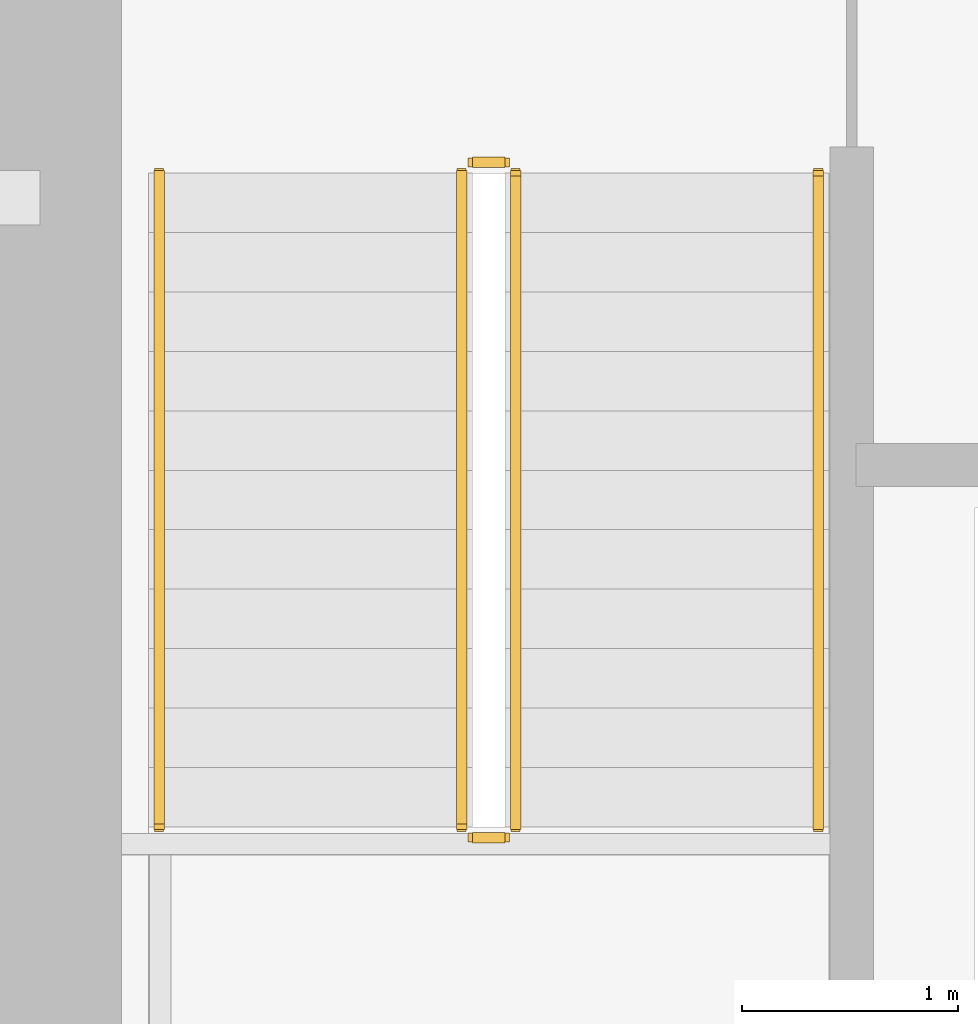
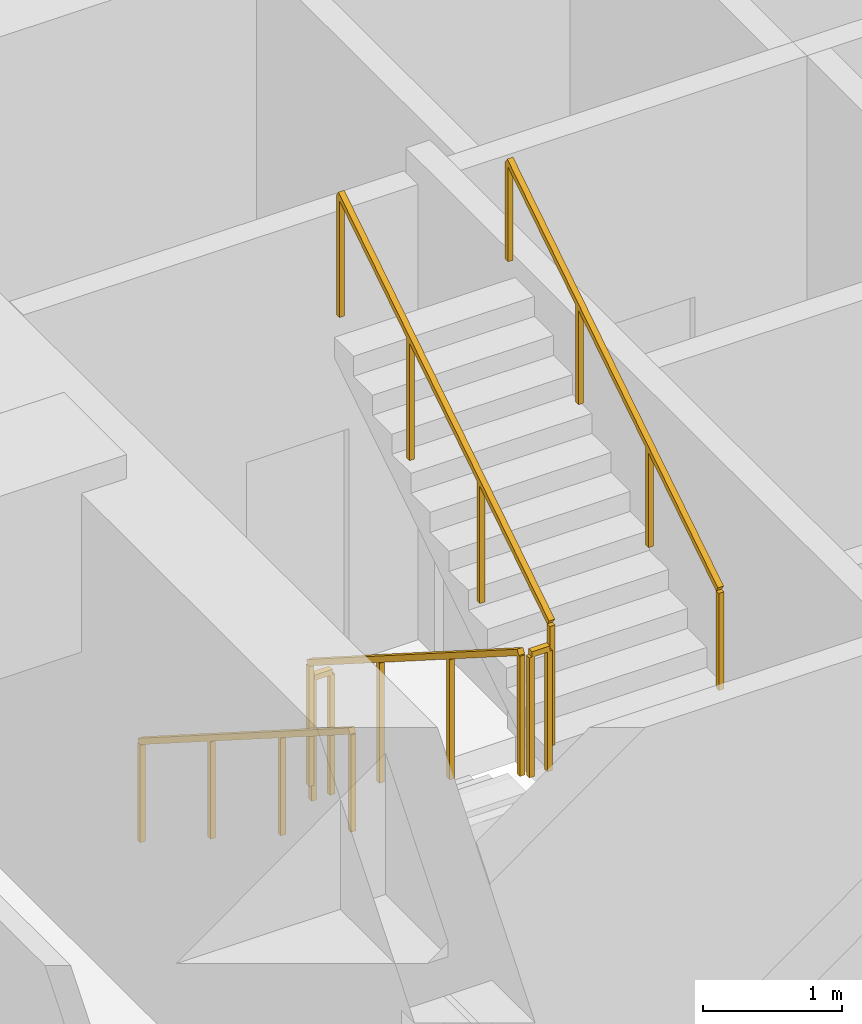
# One storey, part 21 of 23: 6 railings.
"""IFC4 building model written with IfcOpenShell, lengths in metres."""

from ifc_helpers import new_model, si_unit, direction, frame, origin, origin_2d, place, context, subcontext, project, spatial, rectangle, extrude, material, type_object, element, save


model = new_model("IFC4")

# Units and contexts
model_context = context("Model", 3, precision=1e-05, world=origin(), true_north=direction((0.0, 1.0)))
body_context = subcontext(model_context, "Body", "Model", "MODEL_VIEW")
ifc_project = project(units=[si_unit("LENGTHUNIT", "METRE"), si_unit("AREAUNIT", "SQUARE_METRE"), si_unit("VOLUMEUNIT", "CUBIC_METRE"), si_unit("PLANEANGLEUNIT", "RADIAN"), si_unit("MASSUNIT", "GRAM", prefix="KILO")], contexts=[model_context])

# Site, building, storey
site_placement = place(None, origin())
site = spatial("IfcSite", under=ifc_project, at=site_placement, CompositionType="ELEMENT")
building_placement = place(site_placement, origin())
building = spatial("IfcBuilding", under=site, at=building_placement, Name="Cinnabar Lancet Tower", CompositionType="ELEMENT")
storey_placement = place(building_placement, frame((0.0, 0.0, 94.199951171875)))
storey = spatial("IfcBuildingStorey", under=building, at=storey_placement, Name="L24", CompositionType="ELEMENT", Elevation=94.199951171875)

# Railings
ifc_material_1 = material(Name="Painted galvanized steel balustrade", Category="steel")
railing_type_1 = type_object("IfcRailingType", Name="GUARD-STAIR", PredefinedType="GUARDRAIL", material=ifc_material_1)
railing_1_placement = place(storey_placement, frame((24.97509765625, 28.39990234375, 0.175048828125)))
element("IfcRailing", 1, at=railing_1_placement, inside=storey, type_object=railing_type_1, Name="L24 ST-1 stair guard 1", PredefinedType="GUARDRAIL", context=body_context, shape_type="SweptSolid", body=[
    extrude(rectangle(XDim=0.048095703125, YDim=0.048095703125, at=origin_2d()), frame((0.0, 0.0, 1.076171875), z_axis=(0.0, -0.84364746871, 0.536897521451), x_axis=(1.0, 0.0, 0.0)), (0.0, 0.0, 1.0), 3.58544921875),
    extrude(rectangle(XDim=0.0419921875, YDim=0.0419921875, at=origin_2d()), origin(), (0.0, 0.0, 1.0), 1.052001953125),
    extrude(rectangle(XDim=0.0419921875, YDim=0.0419921875, at=origin_2d()), frame((0.0, -1.00830078125, 0.6416015625)), (0.0, 0.0, 1.0), 1.052001953125),
    extrude(rectangle(XDim=0.0419921875, YDim=0.0419921875, at=origin_2d()), frame((0.0, -2.0166015625, 1.283447265625)), (0.0, 0.0, 1.0), 1.052001953125),
    extrude(rectangle(XDim=0.0419921875, YDim=0.0419921875, at=origin_2d()), frame((0.0, -3.02490234375, 1.925048828125)), (0.0, 0.0, 1.0), 1.052001953125),
])
railing_2_placement = place(storey_placement, frame((25.02490234375, 25.324951171875, 2.10009765625)))
element("IfcRailing", 2, at=railing_2_placement, inside=storey, type_object=railing_type_1, Name="L24 ST-1 stair guard 2", PredefinedType="GUARDRAIL", context=body_context, shape_type="SweptSolid", body=[
    extrude(rectangle(XDim=0.048095703125, YDim=0.048095703125, at=origin_2d()), frame((0.0, 0.0, 1.076171875), z_axis=(1.0, 0.0, 0.0), x_axis=(0.0, 1.0, 0.0)), (0.0, 0.0, 1.0), 0.150146484375),
    extrude(rectangle(XDim=0.0419921875, YDim=0.0419921875, at=origin_2d()), origin(), (0.0, 0.0, 1.0), 1.052001953125),
    extrude(rectangle(XDim=0.0419921875, YDim=0.0419921875, at=origin_2d()), frame((0.150146484375, 0.0, 0.0)), (0.0, 0.0, 1.0), 1.052001953125),
])
railing_3_placement = place(storey_placement, frame((25.22509765625, 25.375, 2.275146484375)))
element("IfcRailing", 3, at=railing_3_placement, inside=storey, type_object=railing_type_1, Name="L24 ST-1 stair guard 3", PredefinedType="GUARDRAIL", context=body_context, shape_type="SweptSolid", body=[
    extrude(rectangle(XDim=0.048095703125, YDim=0.048095703125, at=origin_2d()), frame((0.0, 0.0, 1.076171875), z_axis=(0.0, 0.843678310415, 0.536849055634), x_axis=(-1.0, 0.0, 0.0)), (0.0, 0.0, 1.0), 3.58544921875),
    extrude(rectangle(XDim=0.0419921875, YDim=0.0419921875, at=origin_2d()), origin(), (0.0, 0.0, 1.0), 1.052001953125),
    extrude(rectangle(XDim=0.0419921875, YDim=0.0419921875, at=origin_2d()), frame((0.0, 1.00830078125, 0.6416015625)), (0.0, 0.0, 1.0), 1.052001953125),
    extrude(rectangle(XDim=0.0419921875, YDim=0.0419921875, at=origin_2d()), frame((0.0, 2.0166015625, 1.283203125)), (0.0, 0.0, 1.0), 1.052001953125),
    extrude(rectangle(XDim=0.0419921875, YDim=0.0419921875, at=origin_2d()), frame((0.0, 3.02490234375, 1.9248046875)), (0.0, 0.0, 1.0), 1.052001953125),
])
railing_4_placement = place(storey_placement, frame((25.02490234375, 28.449951171875, 0.0)))
element("IfcRailing", 4, at=railing_4_placement, inside=storey, type_object=railing_type_1, Name="L24 ST-1 stair guard 4", PredefinedType="GUARDRAIL", context=body_context, shape_type="SweptSolid", body=[
    extrude(rectangle(XDim=0.048095703125, YDim=0.048095703125, at=origin_2d()), frame((0.0, 0.0, 1.076171875), z_axis=(1.0, 0.0, 0.0), x_axis=(0.0, 1.0, 0.0)), (0.0, 0.0, 1.0), 0.150146484375),
    extrude(rectangle(XDim=0.0419921875, YDim=0.0419921875, at=origin_2d()), origin(), (0.0, 0.0, 1.0), 1.052001953125),
    extrude(rectangle(XDim=0.0419921875, YDim=0.0419921875, at=origin_2d()), frame((0.150146484375, 0.0, 0.0)), (0.0, 0.0, 1.0), 1.052001953125),
])
ifc_material_2 = material(Name="Brushed stainless steel handrail", Category="steel")
railing_type_2 = type_object("IfcRailingType", Name="HANDRAIL-STAIR", PredefinedType="HANDRAIL", material=ifc_material_2)
railing_5_placement = place(storey_placement, frame((23.574951171875, 28.39990234375, 0.175048828125)))
element("IfcRailing", 5, at=railing_5_placement, inside=storey, type_object=railing_type_2, Name="L24 ST-1 stair handrail 1", PredefinedType="HANDRAIL", context=body_context, shape_type="SweptSolid", body=[
    extrude(rectangle(XDim=0.048095703125, YDim=0.048095703125, at=origin_2d()), frame((0.0, 0.0, 0.8759765625), z_axis=(0.0, -0.84364746871, 0.536897521451), x_axis=(1.0, 0.0, 0.0)), (0.0, 0.0, 1.0), 3.58544921875),
    extrude(rectangle(XDim=0.0419921875, YDim=0.0419921875, at=origin_2d()), origin(), (0.0, 0.0, 1.0), 0.851806640625),
    extrude(rectangle(XDim=0.0419921875, YDim=0.0419921875, at=origin_2d()), frame((0.0, -1.00830078125, 0.6416015625)), (0.0, 0.0, 1.0), 0.851806640625),
    extrude(rectangle(XDim=0.0419921875, YDim=0.0419921875, at=origin_2d()), frame((0.0, -2.0166015625, 1.283447265625)), (0.0, 0.0, 1.0), 0.851806640625),
    extrude(rectangle(XDim=0.0419921875, YDim=0.0419921875, at=origin_2d()), frame((0.0, -3.02490234375, 1.925048828125)), (0.0, 0.0, 1.0), 0.851806640625),
])
railing_6_placement = place(storey_placement, frame((26.625, 25.375, 2.275146484375)))
element("IfcRailing", 6, at=railing_6_placement, inside=storey, type_object=railing_type_2, Name="L24 ST-1 stair handrail 2", PredefinedType="HANDRAIL", context=body_context, shape_type="SweptSolid", body=[
    extrude(rectangle(XDim=0.048095703125, YDim=0.048095703125, at=origin_2d()), frame((0.0, 0.0, 0.8759765625), z_axis=(0.0, 0.843678310415, 0.536849055634), x_axis=(-1.0, 0.0, 0.0)), (0.0, 0.0, 1.0), 3.58544921875),
    extrude(rectangle(XDim=0.0419921875, YDim=0.0419921875, at=origin_2d()), origin(), (0.0, 0.0, 1.0), 0.851806640625),
    extrude(rectangle(XDim=0.0419921875, YDim=0.0419921875, at=origin_2d()), frame((0.0, 1.00830078125, 0.6416015625)), (0.0, 0.0, 1.0), 0.851806640625),
    extrude(rectangle(XDim=0.0419921875, YDim=0.0419921875, at=origin_2d()), frame((0.0, 2.0166015625, 1.283203125)), (0.0, 0.0, 1.0), 0.851806640625),
    extrude(rectangle(XDim=0.0419921875, YDim=0.0419921875, at=origin_2d()), frame((0.0, 3.02490234375, 1.9248046875)), (0.0, 0.0, 1.0), 0.851806640625),
])

save(model, "model.ifc")
